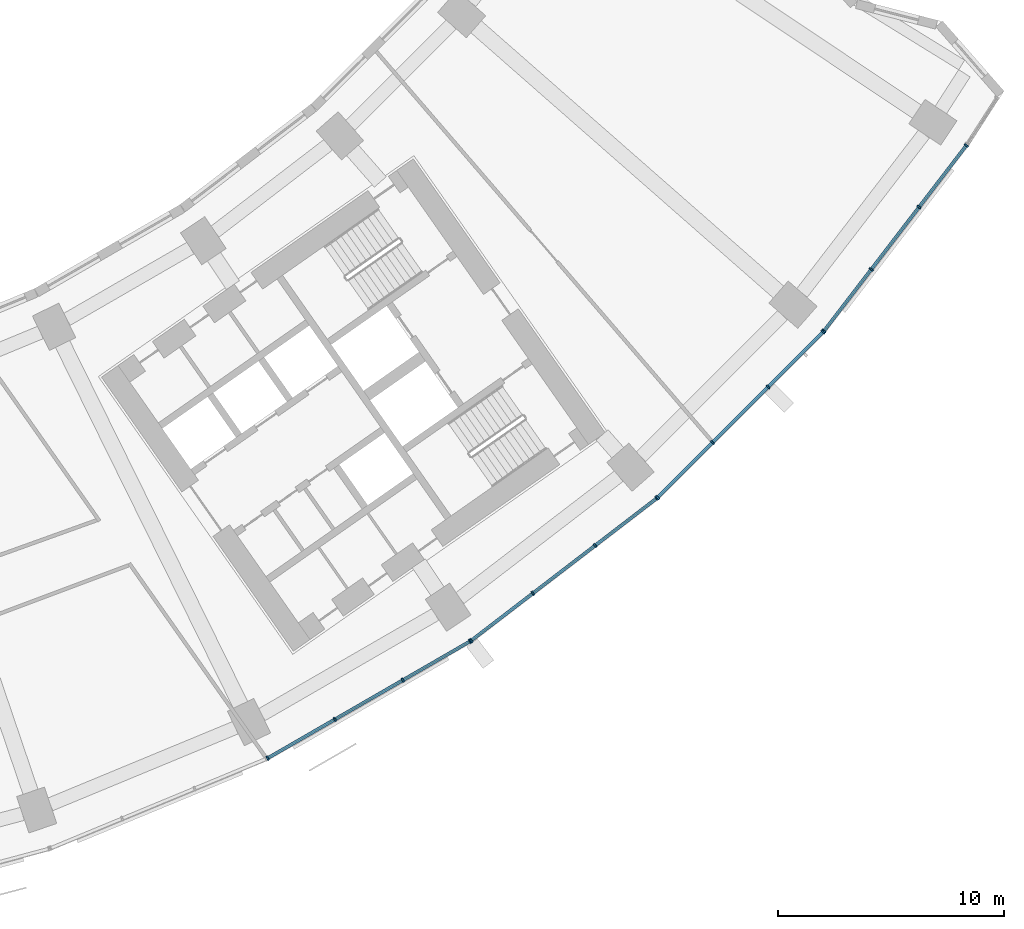
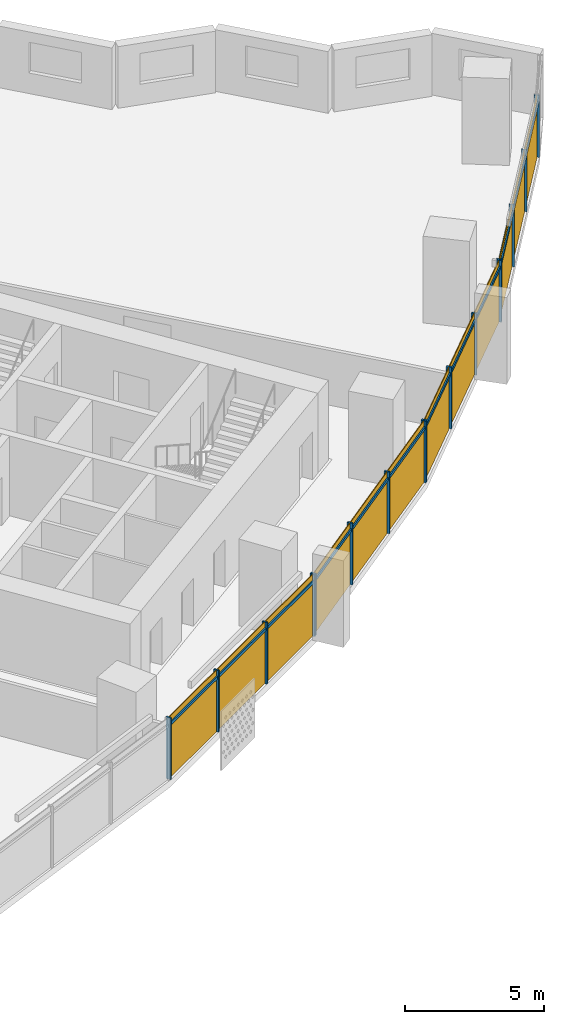
# One storey, part 24 of 30: 28 members, 4 curtain walls.
"""IFC4 building model written with IfcOpenShell, lengths in metres."""

from ifc_helpers import new_model, si_unit, direction, frame, origin, origin_2d, place, context, subcontext, project, spatial, rectangle, extrude, material, material_profile, profile_set, type_object, element, aggregate, save


model = new_model("IFC4")

# Units and contexts
model_context = context("Model", 3, precision=1e-05, world=origin(), true_north=direction((0.0, 1.0)))
body_context = subcontext(model_context, "Body", "Model", "MODEL_VIEW")
ifc_project = project(units=[si_unit("LENGTHUNIT", "METRE"), si_unit("AREAUNIT", "SQUARE_METRE"), si_unit("VOLUMEUNIT", "CUBIC_METRE"), si_unit("PLANEANGLEUNIT", "RADIAN"), si_unit("MASSUNIT", "GRAM", prefix="KILO")], contexts=[model_context])

# Member
ifc_material = material(Name="Aluminium 6063-T6 anodised", Category="aluminium")
ifc_material_profile_1 = material_profile(ifc_material, rectangle(XDim=0.199951171875, YDim=0.070068359375, at=origin_2d()))
ifc_profile_set_1 = profile_set([ifc_material_profile_1], Name="Aluminium 6063-T6 anodised")
member_type_1 = type_object("IfcMemberType", Name="Mullion 70 x 200 aluminium", PredefinedType="MULLION", material=ifc_profile_set_1)
site_placement = place(None, origin())
building_placement = place(site_placement, origin())
storey_placement = place(building_placement, frame((0.0, 0.0, 67.10009765625)))
member_1_placement = place(storey_placement, frame((35.20849609375, -71.331787109375, 0.0), z_axis=(0.0, 0.0, 1.0), x_axis=(-0.5, 0.866025403784, 0.0)))
member_1 = element("IfcMember", 1, at=member_1_placement, type_object=member_type_1, Name="e-cw1-L13-out12/M00", PredefinedType="MULLION", context=body_context, shape_type="SweptSolid", body=[
    extrude(rectangle(XDim=0.199951171875, YDim=0.070068359375, at=origin_2d()), origin(), (0.0, 0.0, 1.0), 2.699951171875),
])

member_2_placement = place(storey_placement, frame((38.18603515625, -69.61279296875, 0.0), z_axis=(0.0, 0.0, 1.0), x_axis=(-0.5, 0.866025403784, 0.0)))
member_2 = element("IfcMember", 2, at=member_2_placement, type_object=member_type_1, Name="e-cw1-L13-out12/M01", PredefinedType="MULLION", context=body_context, shape_type="SweptSolid", body=[
    extrude(rectangle(XDim=0.199951171875, YDim=0.070068359375, at=origin_2d()), origin(), (0.0, 0.0, 1.0), 2.699951171875),
])

member_3_placement = place(storey_placement, frame((41.193603515625, -67.87646484375, 0.0), z_axis=(0.0, 0.0, 1.0), x_axis=(-0.5, 0.866025403784, 0.0)))
member_3 = element("IfcMember", 3, at=member_3_placement, type_object=member_type_1, Name="e-cw1-L13-out12/M02", PredefinedType="MULLION", context=body_context, shape_type="SweptSolid", body=[
    extrude(rectangle(XDim=0.199951171875, YDim=0.070068359375, at=origin_2d()), origin(), (0.0, 0.0, 1.0), 2.699951171875),
])

member_4_placement = place(storey_placement, frame((44.1708984375, -66.157470703125, 0.0), z_axis=(0.0, 0.0, 1.0), x_axis=(-0.5, 0.866025403784, 0.0)))
member_4 = element("IfcMember", 4, at=member_4_placement, type_object=member_type_1, Name="e-cw1-L13-out12/M03", PredefinedType="MULLION", context=body_context, shape_type="SweptSolid", body=[
    extrude(rectangle(XDim=0.199951171875, YDim=0.070068359375, at=origin_2d()), origin(), (0.0, 0.0, 1.0), 2.699951171875),
])

member_5_placement = place(storey_placement, frame((44.218017578125, -66.1259765625, 0.0), z_axis=(0.0, 0.0, 1.0), x_axis=(-0.608761429009, 0.793353340291, 0.0)))
member_5 = element("IfcMember", 5, at=member_5_placement, type_object=member_type_1, Name="e-cw1-L13-out13/M00", PredefinedType="MULLION", context=body_context, shape_type="SweptSolid", body=[
    extrude(rectangle(XDim=0.199951171875, YDim=0.070068359375, at=origin_2d()), origin(), (0.0, 0.0, 1.0), 2.699951171875),
])

member_6_placement = place(storey_placement, frame((46.945556640625, -64.032958984375, 0.0), z_axis=(0.0, 0.0, 1.0), x_axis=(-0.608761429009, 0.793353340291, 0.0)))
member_6 = element("IfcMember", 6, at=member_6_placement, type_object=member_type_1, Name="e-cw1-L13-out13/M01", PredefinedType="MULLION", context=body_context, shape_type="SweptSolid", body=[
    extrude(rectangle(XDim=0.199951171875, YDim=0.070068359375, at=origin_2d()), origin(), (0.0, 0.0, 1.0), 2.699951171875),
])

member_7_placement = place(storey_placement, frame((49.70068359375, -61.9189453125, 0.0), z_axis=(0.0, 0.0, 1.0), x_axis=(-0.608761429009, 0.793353340291, 0.0)))
member_7 = element("IfcMember", 7, at=member_7_placement, type_object=member_type_1, Name="e-cw1-L13-out13/M02", PredefinedType="MULLION", context=body_context, shape_type="SweptSolid", body=[
    extrude(rectangle(XDim=0.199951171875, YDim=0.070068359375, at=origin_2d()), origin(), (0.0, 0.0, 1.0), 2.699951171875),
])

member_8_placement = place(storey_placement, frame((52.42822265625, -59.825927734375, 0.0), z_axis=(0.0, 0.0, 1.0), x_axis=(-0.608761429009, 0.793353340291, 0.0)))
member_8 = element("IfcMember", 8, at=member_8_placement, type_object=member_type_1, Name="e-cw1-L13-out13/M03", PredefinedType="MULLION", context=body_context, shape_type="SweptSolid", body=[
    extrude(rectangle(XDim=0.199951171875, YDim=0.070068359375, at=origin_2d()), origin(), (0.0, 0.0, 1.0), 2.699951171875),
])

member_9_placement = place(storey_placement, frame((52.470947265625, -59.78857421875, 0.0), z_axis=(0.0, 0.0, 1.0), x_axis=(-0.707106781187, 0.707106781187, 0.0)))
member_9 = element("IfcMember", 9, at=member_9_placement, type_object=member_type_1, Name="e-cw1-L13-out14/M00", PredefinedType="MULLION", context=body_context, shape_type="SweptSolid", body=[
    extrude(rectangle(XDim=0.199951171875, YDim=0.070068359375, at=origin_2d()), origin(), (0.0, 0.0, 1.0), 2.699951171875),
])

member_10_placement = place(storey_placement, frame((54.90185546875, -57.357666015625, 0.0), z_axis=(0.0, 0.0, 1.0), x_axis=(-0.707106781187, 0.707106781187, 0.0)))
member_10 = element("IfcMember", 10, at=member_10_placement, type_object=member_type_1, Name="e-cw1-L13-out14/M01", PredefinedType="MULLION", context=body_context, shape_type="SweptSolid", body=[
    extrude(rectangle(XDim=0.199951171875, YDim=0.070068359375, at=origin_2d()), origin(), (0.0, 0.0, 1.0), 2.699951171875),
])

member_11_placement = place(storey_placement, frame((57.357666015625, -54.90185546875, 0.0), z_axis=(0.0, 0.0, 1.0), x_axis=(-0.707106781187, 0.707106781187, 0.0)))
member_11 = element("IfcMember", 11, at=member_11_placement, type_object=member_type_1, Name="e-cw1-L13-out14/M02", PredefinedType="MULLION", context=body_context, shape_type="SweptSolid", body=[
    extrude(rectangle(XDim=0.199951171875, YDim=0.070068359375, at=origin_2d()), origin(), (0.0, 0.0, 1.0), 2.699951171875),
])

member_12_placement = place(storey_placement, frame((59.78857421875, -52.470947265625, 0.0), z_axis=(0.0, 0.0, 1.0), x_axis=(-0.707106781187, 0.707106781187, 0.0)))
member_12 = element("IfcMember", 12, at=member_12_placement, type_object=member_type_1, Name="e-cw1-L13-out14/M03", PredefinedType="MULLION", context=body_context, shape_type="SweptSolid", body=[
    extrude(rectangle(XDim=0.199951171875, YDim=0.070068359375, at=origin_2d()), origin(), (0.0, 0.0, 1.0), 2.699951171875),
])

member_13_placement = place(storey_placement, frame((59.825927734375, -52.42822265625, 0.0), z_axis=(0.0, 0.0, 1.0), x_axis=(-0.793353340291, 0.608761429009, 0.0)))
member_13 = element("IfcMember", 13, at=member_13_placement, type_object=member_type_1, Name="e-cw1-L13-out15/M00", PredefinedType="MULLION", context=body_context, shape_type="SweptSolid", body=[
    extrude(rectangle(XDim=0.199951171875, YDim=0.070068359375, at=origin_2d()), origin(), (0.0, 0.0, 1.0), 2.699951171875),
])

member_14_placement = place(storey_placement, frame((61.9189453125, -49.70068359375, 0.0), z_axis=(0.0, 0.0, 1.0), x_axis=(-0.793353340291, 0.608761429009, 0.0)))
member_14 = element("IfcMember", 14, at=member_14_placement, type_object=member_type_1, Name="e-cw1-L13-out15/M01", PredefinedType="MULLION", context=body_context, shape_type="SweptSolid", body=[
    extrude(rectangle(XDim=0.199951171875, YDim=0.070068359375, at=origin_2d()), origin(), (0.0, 0.0, 1.0), 2.699951171875),
])

member_15_placement = place(storey_placement, frame((64.032958984375, -46.945556640625, 0.0), z_axis=(0.0, 0.0, 1.0), x_axis=(-0.793353340291, 0.608761429009, 0.0)))
member_15 = element("IfcMember", 15, at=member_15_placement, type_object=member_type_1, Name="e-cw1-L13-out15/M02", PredefinedType="MULLION", context=body_context, shape_type="SweptSolid", body=[
    extrude(rectangle(XDim=0.199951171875, YDim=0.070068359375, at=origin_2d()), origin(), (0.0, 0.0, 1.0), 2.699951171875),
])

member_16_placement = place(storey_placement, frame((66.1259765625, -44.218017578125, 0.0), z_axis=(0.0, 0.0, 1.0), x_axis=(-0.793353340291, 0.608761429009, 0.0)))
member_16 = element("IfcMember", 16, at=member_16_placement, type_object=member_type_1, Name="e-cw1-L13-out15/M03", PredefinedType="MULLION", context=body_context, shape_type="SweptSolid", body=[
    extrude(rectangle(XDim=0.199951171875, YDim=0.070068359375, at=origin_2d()), origin(), (0.0, 0.0, 1.0), 2.699951171875),
])

ifc_material_profile_2 = material_profile(ifc_material, rectangle(XDim=0.139892578125, YDim=0.1201171875, at=origin_2d()))
ifc_profile_set_2 = profile_set([ifc_material_profile_2], Name="Aluminium 6063-T6 anodised")
member_type_2 = type_object("IfcMemberType", Name="Transom 120 x 140 aluminium", PredefinedType="USERDEFINED", material=ifc_profile_set_2)
member_17_placement = place(storey_placement, frame((35.239013671875, -71.314208984375, 2.39990234375), z_axis=(0.866026229868, 0.499998569178, 0.0), x_axis=(-0.499998569178, 0.866026229868, 0.0)))
member_17 = element("IfcMember", 17, at=member_17_placement, type_object=member_type_2, Name="e-cw1-L13-out12/T00", ObjectType="TRANSOM", PredefinedType="USERDEFINED", context=body_context, shape_type="SweptSolid", body=[
    extrude(rectangle(XDim=0.139892578125, YDim=0.1201171875, at=origin_2d()), origin(), (0.0, 0.0, 1.0), 3.36767578125),
])

member_18_placement = place(storey_placement, frame((38.21630859375, -69.595458984375, 2.39990234375), z_axis=(0.866000398227, 0.500043308395, 0.0), x_axis=(-0.500043308395, 0.866000398227, 0.0)))
member_18 = element("IfcMember", 18, at=member_18_placement, type_object=member_type_2, Name="e-cw1-L13-out12/T01", ObjectType="TRANSOM", PredefinedType="USERDEFINED", context=body_context, shape_type="SweptSolid", body=[
    extrude(rectangle(XDim=0.139892578125, YDim=0.1201171875, at=origin_2d()), origin(), (0.0, 0.0, 1.0), 3.403076171875),
])

member_19_placement = place(storey_placement, frame((41.223876953125, -67.85888671875, 2.39990234375), z_axis=(0.866044351828, 0.49996717959, 0.0), x_axis=(-0.49996717959, 0.866044351828, 0.0)))
member_19 = element("IfcMember", 19, at=member_19_placement, type_object=member_type_2, Name="e-cw1-L13-out12/T02", ObjectType="TRANSOM", PredefinedType="USERDEFINED", context=body_context, shape_type="SweptSolid", body=[
    extrude(rectangle(XDim=0.139892578125, YDim=0.1201171875, at=origin_2d()), origin(), (0.0, 0.0, 1.0), 3.367919921875),
])

member_20_placement = place(storey_placement, frame((44.245849609375, -66.1044921875, 2.39990234375), z_axis=(0.793375276742, 0.608732839803, 0.0), x_axis=(-0.608732839803, 0.793375276742, 0.0)))
member_20 = element("IfcMember", 20, at=member_20_placement, type_object=member_type_2, Name="e-cw1-L13-out13/T00", ObjectType="TRANSOM", PredefinedType="USERDEFINED", context=body_context, shape_type="SweptSolid", body=[
    extrude(rectangle(XDim=0.139892578125, YDim=0.1201171875, at=origin_2d()), origin(), (0.0, 0.0, 1.0), 3.36767578125),
])

member_21_placement = place(storey_placement, frame((46.973388671875, -64.01171875, 2.39990234375), z_axis=(0.793356868815, 0.60875683052, 0.0), x_axis=(-0.60875683052, 0.793356868815, 0.0)))
member_21 = element("IfcMember", 21, at=member_21_placement, type_object=member_type_2, Name="e-cw1-L13-out13/T01", ObjectType="TRANSOM", PredefinedType="USERDEFINED", context=body_context, shape_type="SweptSolid", body=[
    extrude(rectangle(XDim=0.139892578125, YDim=0.1201171875, at=origin_2d()), origin(), (0.0, 0.0, 1.0), 3.40283203125),
])

member_22_placement = place(storey_placement, frame((49.728515625, -61.8974609375, 2.39990234375), z_axis=(0.793375276742, 0.608732839803, 0.0), x_axis=(-0.608732839803, 0.793375276742, 0.0)))
member_22 = element("IfcMember", 22, at=member_22_placement, type_object=member_type_2, Name="e-cw1-L13-out13/T02", ObjectType="TRANSOM", PredefinedType="USERDEFINED", context=body_context, shape_type="SweptSolid", body=[
    extrude(rectangle(XDim=0.139892578125, YDim=0.1201171875, at=origin_2d()), origin(), (0.0, 0.0, 1.0), 3.36767578125),
])

member_23_placement = place(storey_placement, frame((52.49560546875, -59.763916015625, 2.39990234375), z_axis=(0.707106781187, 0.707106781187, 0.0), x_axis=(-0.707106781187, 0.707106781187, 0.0)))
member_23 = element("IfcMember", 23, at=member_23_placement, type_object=member_type_2, Name="e-cw1-L13-out14/T00", ObjectType="TRANSOM", PredefinedType="USERDEFINED", context=body_context, shape_type="SweptSolid", body=[
    extrude(rectangle(XDim=0.139892578125, YDim=0.1201171875, at=origin_2d()), origin(), (0.0, 0.0, 1.0), 3.3681640625),
])

member_24_placement = place(storey_placement, frame((54.9267578125, -57.332763671875, 2.39990234375), z_axis=(0.707106781187, 0.707106781187, 0.0), x_axis=(-0.707106781187, 0.707106781187, 0.0)))
member_24 = element("IfcMember", 24, at=member_24_placement, type_object=member_type_2, Name="e-cw1-L13-out14/T01", ObjectType="TRANSOM", PredefinedType="USERDEFINED", context=body_context, shape_type="SweptSolid", body=[
    extrude(rectangle(XDim=0.139892578125, YDim=0.1201171875, at=origin_2d()), origin(), (0.0, 0.0, 1.0), 3.402587890625),
])

member_25_placement = place(storey_placement, frame((57.38232421875, -54.877197265625, 2.39990234375), z_axis=(0.707106781187, 0.707106781187, 0.0), x_axis=(-0.707106781187, 0.707106781187, 0.0)))
member_25 = element("IfcMember", 25, at=member_25_placement, type_object=member_type_2, Name="e-cw1-L13-out14/T02", ObjectType="TRANSOM", PredefinedType="USERDEFINED", context=body_context, shape_type="SweptSolid", body=[
    extrude(rectangle(XDim=0.139892578125, YDim=0.1201171875, at=origin_2d()), origin(), (0.0, 0.0, 1.0), 3.3681640625),
])

member_26_placement = place(storey_placement, frame((59.847412109375, -52.400390625, 2.39990234375), z_axis=(0.608732839803, 0.793375276742, 0.0), x_axis=(-0.793375276742, 0.608732839803, 0.0)))
member_26 = element("IfcMember", 26, at=member_26_placement, type_object=member_type_2, Name="e-cw1-L13-out15/T00", ObjectType="TRANSOM", PredefinedType="USERDEFINED", context=body_context, shape_type="SweptSolid", body=[
    extrude(rectangle(XDim=0.139892578125, YDim=0.1201171875, at=origin_2d()), origin(), (0.0, 0.0, 1.0), 3.36767578125),
])

member_27_placement = place(storey_placement, frame((61.940185546875, -49.673095703125, 2.39990234375), z_axis=(0.60875683052, 0.793356868815, 0.0), x_axis=(-0.793356868815, 0.60875683052, 0.0)))
member_27 = element("IfcMember", 27, at=member_27_placement, type_object=member_type_2, Name="e-cw1-L13-out15/T01", ObjectType="TRANSOM", PredefinedType="USERDEFINED", context=body_context, shape_type="SweptSolid", body=[
    extrude(rectangle(XDim=0.139892578125, YDim=0.1201171875, at=origin_2d()), origin(), (0.0, 0.0, 1.0), 3.40283203125),
])

member_28_placement = place(storey_placement, frame((64.054443359375, -46.917724609375, 2.39990234375), z_axis=(0.608732839803, 0.793375276742, 0.0), x_axis=(-0.793375276742, 0.608732839803, 0.0)))
member_28 = element("IfcMember", 28, at=member_28_placement, type_object=member_type_2, Name="e-cw1-L13-out15/T02", ObjectType="TRANSOM", PredefinedType="USERDEFINED", context=body_context, shape_type="SweptSolid", body=[
    extrude(rectangle(XDim=0.139892578125, YDim=0.1201171875, at=origin_2d()), origin(), (0.0, 0.0, 1.0), 3.36767578125),
])

# Site, building, storey
site = spatial("IfcSite", under=ifc_project, at=site_placement, CompositionType="ELEMENT")
building = spatial("IfcBuilding", under=site, at=building_placement, Name="Qamariyya Broadcast Tower", CompositionType="ELEMENT")
storey = spatial("IfcBuildingStorey", under=building, at=storey_placement, Name="L13", CompositionType="ELEMENT", Elevation=67.10009765625)

# Curtain wall
curtain_wall_type = type_object("IfcCurtainWallType", Name="Unitised curtain wall, anodised aluminium", PredefinedType="NOTDEFINED", material=ifc_material)
curtain_wall_1_placement = place(storey_placement, origin())
curtain_wall_1 = element("IfcCurtainWall", 29, at=curtain_wall_1_placement, inside=storey, type_object=curtain_wall_type, Name="e-cw1-L13-out12", PredefinedType="NOTDEFINED", context=body_context, shape_type="SweptSolid", body=[
    extrude(rectangle(XDim=3.367919921875, YDim=0.031982421875, at=origin_2d()), frame((36.697265625, -70.472412109375, 0.0), x_axis=(0.86602247392, 0.500005074639, 0.0)), (0.0, 0.0, 1.0), 2.340087890625),
    extrude(rectangle(XDim=3.367919921875, YDim=0.031982421875, at=origin_2d()), frame((36.697265625, -70.472412109375, 2.4599609375), x_axis=(0.86602247392, 0.500005074639, 0.0)), (0.0, 0.0, 1.0), 0.239990234375),
    extrude(rectangle(XDim=3.40283203125, YDim=0.031982421875, at=origin_2d()), frame((39.689697265625, -68.74462890625, 0.0), x_axis=(0.86602247392, 0.500005074639, 0.0)), (0.0, 0.0, 1.0), 2.340087890625),
    extrude(rectangle(XDim=3.40283203125, YDim=0.031982421875, at=origin_2d()), frame((39.689697265625, -68.74462890625, 2.4599609375), x_axis=(0.86602247392, 0.500005074639, 0.0)), (0.0, 0.0, 1.0), 0.239990234375),
    extrude(rectangle(XDim=3.367919921875, YDim=0.031982421875, at=origin_2d()), frame((42.68212890625, -67.016845703125, 0.0), x_axis=(0.86602247392, 0.500005074639, 0.0)), (0.0, 0.0, 1.0), 2.340087890625),
    extrude(rectangle(XDim=3.367919921875, YDim=0.031982421875, at=origin_2d()), frame((42.68212890625, -67.016845703125, 2.4599609375), x_axis=(0.86602247392, 0.500005074639, 0.0)), (0.0, 0.0, 1.0), 0.239990234375),
])

aggregate(curtain_wall_1, [member_1, member_2, member_3, member_4, member_17, member_18, member_19])

curtain_wall_2_placement = place(storey_placement, origin())
curtain_wall_2 = element("IfcCurtainWall", 30, at=curtain_wall_2_placement, inside=storey, type_object=curtain_wall_type, Name="e-cw1-L13-out13", PredefinedType="NOTDEFINED", context=body_context, shape_type="SweptSolid", body=[
    extrude(rectangle(XDim=3.367919921875, YDim=0.031982421875, at=origin_2d()), frame((45.581787109375, -65.07958984375, 0.0), x_axis=(0.79335775203, 0.608755679475, 0.0)), (0.0, 0.0, 1.0), 2.340087890625),
    extrude(rectangle(XDim=3.367919921875, YDim=0.031982421875, at=origin_2d()), frame((45.581787109375, -65.07958984375, 2.4599609375), x_axis=(0.79335775203, 0.608755679475, 0.0)), (0.0, 0.0, 1.0), 0.239990234375),
    extrude(rectangle(XDim=3.40283203125, YDim=0.031982421875, at=origin_2d()), frame((48.3232421875, -62.97607421875, 0.0), x_axis=(0.79335775203, 0.608755679475, 0.0)), (0.0, 0.0, 1.0), 2.340087890625),
    extrude(rectangle(XDim=3.40283203125, YDim=0.031982421875, at=origin_2d()), frame((48.3232421875, -62.97607421875, 2.4599609375), x_axis=(0.79335775203, 0.608755679475, 0.0)), (0.0, 0.0, 1.0), 0.239990234375),
    extrude(rectangle(XDim=3.367919921875, YDim=0.031982421875, at=origin_2d()), frame((51.064453125, -60.872314453125, 0.0), x_axis=(0.79335775203, 0.608755679475, 0.0)), (0.0, 0.0, 1.0), 2.340087890625),
    extrude(rectangle(XDim=3.367919921875, YDim=0.031982421875, at=origin_2d()), frame((51.064453125, -60.872314453125, 2.4599609375), x_axis=(0.79335775203, 0.608755679475, 0.0)), (0.0, 0.0, 1.0), 0.239990234375),
])

aggregate(curtain_wall_2, [member_5, member_6, member_7, member_8, member_20, member_21, member_22])

curtain_wall_3_placement = place(storey_placement, origin())
curtain_wall_3 = element("IfcCurtainWall", 31, at=curtain_wall_3_placement, inside=storey, type_object=curtain_wall_type, Name="e-cw1-L13-out14", PredefinedType="NOTDEFINED", context=body_context, shape_type="SweptSolid", body=[
    extrude(rectangle(XDim=3.367919921875, YDim=0.031982421875, at=origin_2d()), frame((53.6865234375, -58.572998046875, 0.0), x_axis=(0.707106781187, 0.707106781187, 0.0)), (0.0, 0.0, 1.0), 2.340087890625),
    extrude(rectangle(XDim=3.367919921875, YDim=0.031982421875, at=origin_2d()), frame((53.6865234375, -58.572998046875, 2.4599609375), x_axis=(0.707106781187, 0.707106781187, 0.0)), (0.0, 0.0, 1.0), 0.239990234375),
    extrude(rectangle(XDim=3.40283203125, YDim=0.031982421875, at=origin_2d()), frame((56.1298828125, -56.1298828125, 0.0), x_axis=(0.707106781187, 0.707106781187, 0.0)), (0.0, 0.0, 1.0), 2.340087890625),
    extrude(rectangle(XDim=3.40283203125, YDim=0.031982421875, at=origin_2d()), frame((56.1298828125, -56.1298828125, 2.4599609375), x_axis=(0.707106781187, 0.707106781187, 0.0)), (0.0, 0.0, 1.0), 0.239990234375),
    extrude(rectangle(XDim=3.367919921875, YDim=0.031982421875, at=origin_2d()), frame((58.572998046875, -53.6865234375, 0.0), x_axis=(0.707106781187, 0.707106781187, 0.0)), (0.0, 0.0, 1.0), 2.340087890625),
    extrude(rectangle(XDim=3.367919921875, YDim=0.031982421875, at=origin_2d()), frame((58.572998046875, -53.6865234375, 2.4599609375), x_axis=(0.707106781187, 0.707106781187, 0.0)), (0.0, 0.0, 1.0), 0.239990234375),
])

aggregate(curtain_wall_3, [member_9, member_10, member_11, member_12, member_23, member_24, member_25])

curtain_wall_4_placement = place(storey_placement, origin())
curtain_wall_4 = element("IfcCurtainWall", 32, at=curtain_wall_4_placement, inside=storey, type_object=curtain_wall_type, Name="e-cw1-L13-out15", PredefinedType="NOTDEFINED", context=body_context, shape_type="SweptSolid", body=[
    extrude(rectangle(XDim=3.367919921875, YDim=0.031982421875, at=origin_2d()), frame((60.872314453125, -51.064453125, 0.0), x_axis=(0.608755679475, 0.79335775203, 0.0)), (0.0, 0.0, 1.0), 2.340087890625),
    extrude(rectangle(XDim=3.367919921875, YDim=0.031982421875, at=origin_2d()), frame((60.872314453125, -51.064453125, 2.4599609375), x_axis=(0.608755679475, 0.79335775203, 0.0)), (0.0, 0.0, 1.0), 0.239990234375),
    extrude(rectangle(XDim=3.40283203125, YDim=0.031982421875, at=origin_2d()), frame((62.97607421875, -48.3232421875, 0.0), x_axis=(0.608755679475, 0.79335775203, 0.0)), (0.0, 0.0, 1.0), 2.340087890625),
    extrude(rectangle(XDim=3.40283203125, YDim=0.031982421875, at=origin_2d()), frame((62.97607421875, -48.3232421875, 2.4599609375), x_axis=(0.608755679475, 0.79335775203, 0.0)), (0.0, 0.0, 1.0), 0.239990234375),
    extrude(rectangle(XDim=3.367919921875, YDim=0.031982421875, at=origin_2d()), frame((65.07958984375, -45.581787109375, 0.0), x_axis=(0.608755679475, 0.79335775203, 0.0)), (0.0, 0.0, 1.0), 2.340087890625),
    extrude(rectangle(XDim=3.367919921875, YDim=0.031982421875, at=origin_2d()), frame((65.07958984375, -45.581787109375, 2.4599609375), x_axis=(0.608755679475, 0.79335775203, 0.0)), (0.0, 0.0, 1.0), 0.239990234375),
])

aggregate(curtain_wall_4, [member_13, member_14, member_15, member_16, member_26, member_27, member_28])

save(model, "model.ifc")
